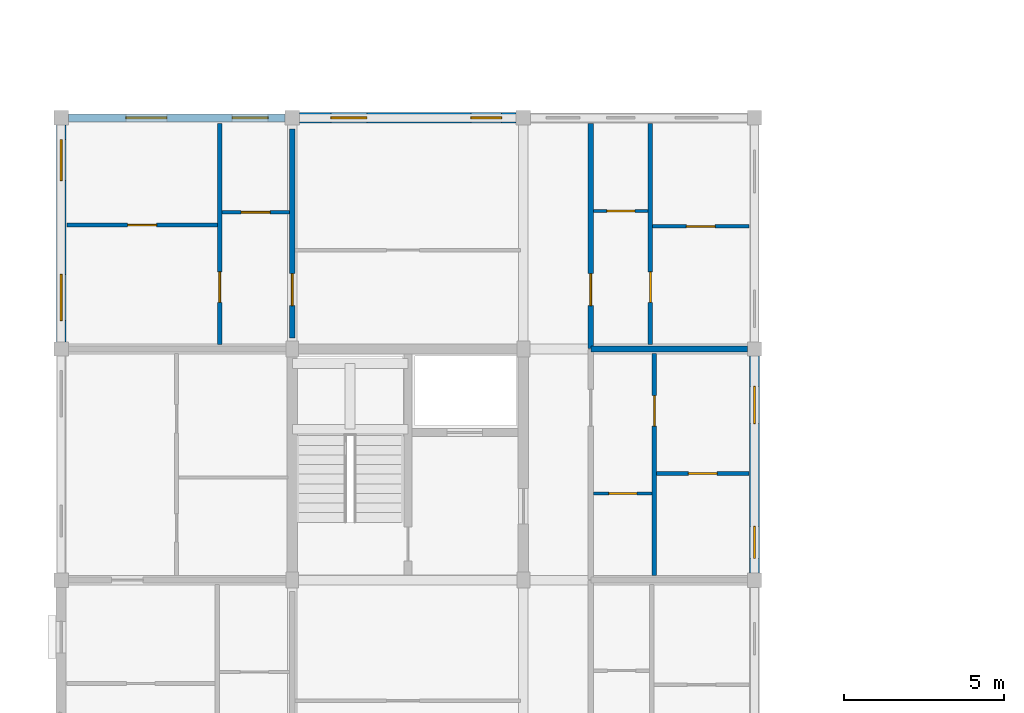
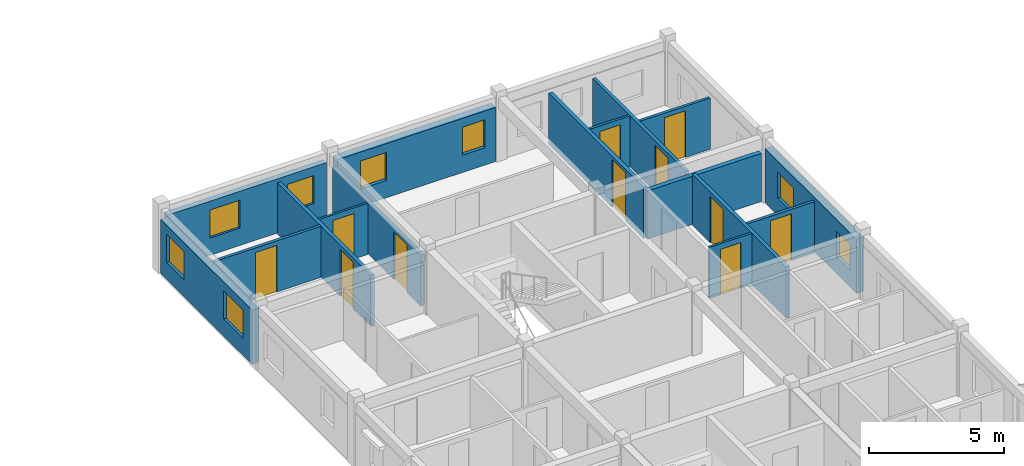
# One storey, part 15 of 23: 16 walls, 11 doors, 8 windows, 19 openings.
"""IFC4 building model written with IfcOpenShell, lengths in metres."""

from ifc_helpers import new_model, si_unit, direction, frame, frame_2d, origin, place, context, subcontext, project, spatial, rectangle, extrude, material, layer, layer_set, type_object, element, fill, save


model = new_model("IFC4")

# Units and contexts
model_context = context("Model", 3, precision=1e-05, world=origin(), true_north=direction((0.0, 1.0)))
body_context = subcontext(model_context, "Body", "Model", "MODEL_VIEW")
ifc_project = project(units=[si_unit("LENGTHUNIT", "METRE"), si_unit("AREAUNIT", "SQUARE_METRE"), si_unit("VOLUMEUNIT", "CUBIC_METRE"), si_unit("PLANEANGLEUNIT", "RADIAN"), si_unit("MASSUNIT", "GRAM", prefix="KILO"), si_unit("THERMODYNAMICTEMPERATUREUNIT", "KELVIN"), si_unit("POWERUNIT", "WATT")], contexts=[model_context])

# Site, building, storey
site_placement = place(None, origin())
site = spatial("IfcSite", under=ifc_project, at=site_placement, CompositionType="ELEMENT")
building_placement = place(site_placement, origin())
building = spatial("IfcBuilding", under=site, at=building_placement, Name="Tavuni Mirador Residences", CompositionType="ELEMENT")
storey_placement = place(building_placement, frame((0.0, 0.0, 42.300048828125)))
storey = spatial("IfcBuildingStorey", under=building, at=storey_placement, Name="L13", CompositionType="ELEMENT", Elevation=42.300048828125)

# Wall, opening, door
ifc_material_1 = material(Name="Precast concrete C40/50", Category="concrete")
ifc_layer_1 = layer(ifc_material_1, 0.1650390625, Name="Precast concrete C40/50", Category="concrete")
ifc_layer_set_1 = layer_set([ifc_layer_1], Name="Precast concrete C40/50")
wall_type_1 = type_object("IfcWallType", Name="WT-CORR165", PredefinedType="PARTITIONING", material=ifc_layer_set_1)
wall_1_placement = place(storey_placement, frame((20.10009765625, 36.02001953125, 0.0), z_axis=(0.0, 0.0, 1.0), x_axis=(0.0, 1.0, 0.0)))
wall_1 = element("IfcWall", 1, at=wall_1_placement, inside=storey, type_object=wall_type_1, Name="CORW-BLK-A-L13-0-04", PredefinedType="PARTITIONING", context=body_context, shape_type="SweptSolid", body=[
    extrude(rectangle(XDim=7.0048828125, YDim=0.1650390625, at=frame_2d((3.50244140625, 0.0))), origin(), (0.0, 0.0, 1.0), 2.304931640625),
])
opening_1_placement = place(wall_1_placement, frame((1.330078125, 0.0, 0.0)))
opening_1 = element("IfcOpeningElement", 2, at=opening_1_placement, cuts=wall_1, Name="Opening D-03", PredefinedType="OPENING", context=body_context, shape_type="SweptSolid", body=[
    extrude(rectangle(XDim=1.0, YDim=2.14990234375, at=frame_2d((0.5, 1.074951171875))), frame((0.0, 0.092529296875, 0.0), z_axis=(0.0, -1.0, 0.0), x_axis=(1.0, 0.0, 0.0)), (0.0, 0.0, 1.0), 0.18505859375),
])
ifc_material_2 = material(Name="Solid core iroko timber", Category="wood")
door_type_1 = type_object("IfcDoorType", Name="DT-FD60-1000", OperationType="NOTDEFINED", PredefinedType="DOOR", material=ifc_material_2)
door_1_placement = place(opening_1_placement, origin())
door_1 = element("IfcDoor", 3, at=door_1_placement, inside=storey, type_object=door_type_1, Name="DR-2505", OperationType="SINGLE_SWING_RIGHT", OverallHeight=2.14990234375, OverallWidth=1.0, PredefinedType="DOOR", context=body_context, shape_type="SweptSolid", body=[
    extrude(rectangle(XDim=1.0, YDim=2.14990234375, at=frame_2d((0.5, 1.074951171875))), frame((0.0, 0.02490234375, 0.0), z_axis=(0.0, -1.0, 0.0), x_axis=(1.0, 0.0, 0.0)), (0.0, 0.0, 1.0), 0.050048828125),
])
fill(opening_1, door_1)

wall_2_placement = place(storey_placement, frame((10.800048828125, 36.35009765625, 0.0), z_axis=(0.0, 0.0, 1.0), x_axis=(0.0, 1.0, 0.0)))
wall_2 = element("IfcWall", 4, at=wall_2_placement, inside=storey, type_object=wall_type_1, Name="CORW-BLK-A-L13-1-04", PredefinedType="PARTITIONING", context=body_context, shape_type="SweptSolid", body=[
    extrude(rectangle(XDim=6.5, YDim=0.1650390625, at=frame_2d((3.25, 0.0))), origin(), (0.0, 0.0, 1.0), 2.304931640625),
])
opening_2_placement = place(wall_2_placement, frame((1.0, 0.0, 0.0)))
opening_2 = element("IfcOpeningElement", 5, at=opening_2_placement, cuts=wall_2, Name="Opening D-03", PredefinedType="OPENING", context=body_context, shape_type="SweptSolid", body=[
    extrude(rectangle(XDim=1.0, YDim=2.14990234375, at=frame_2d((0.5, 1.074951171875))), frame((0.0, 0.092529296875, 0.0), z_axis=(0.0, -1.0, 0.0), x_axis=(1.0, 0.0, 0.0)), (0.0, 0.0, 1.0), 0.18505859375),
])
door_2_placement = place(opening_2_placement, origin())
door_2 = element("IfcDoor", 6, at=door_2_placement, inside=storey, type_object=door_type_1, Name="DR-2508", OperationType="SINGLE_SWING_LEFT", OverallHeight=2.14990234375, OverallWidth=1.0, PredefinedType="DOOR", context=body_context, shape_type="SweptSolid", body=[
    extrude(rectangle(XDim=1.0, YDim=2.14990234375, at=frame_2d((0.5, 1.074951171875))), frame((0.0, 0.02490234375, 0.0), z_axis=(0.0, -1.0, 0.0), x_axis=(1.0, 0.0, 0.0)), (0.0, 0.0, 1.0), 0.050048828125),
])
fill(opening_2, door_2)

# Wall, openings, windows
ifc_layer_2 = layer(ifc_material_1, 0.330078125, Name="Precast concrete C40/50", Category="concrete")
ifc_layer_set_2 = layer_set([ifc_layer_2], Name="Precast concrete C40/50")
wall_type_2 = type_object("IfcWallType", Name="WT-EXT-COR330", PredefinedType="SOLIDWALL", material=ifc_layer_set_2)
wall_3_placement = place(storey_placement, frame((17.77490234375, 43.199951171875, 0.0), z_axis=(0.0, 0.0, 1.0), x_axis=(-1.0, 0.0, 0.0)))
wall_3 = element("IfcWall", 7, at=wall_3_placement, inside=storey, type_object=wall_type_2, Name="EW-BLK-A-L13-N01", PredefinedType="SOLIDWALL", context=body_context, shape_type="SweptSolid", body=[
    extrude(rectangle(XDim=6.75, YDim=0.330078125, at=frame_2d((3.375, 0.0))), origin(), (0.0, 0.0, 1.0), 2.43994140625),
])
opening_3_placement = place(wall_3_placement, frame((0.449951171875, 0.0, 0.780029296875)))
opening_3 = element("IfcOpeningElement", 8, at=opening_3_placement, cuts=wall_3, Name="Opening WN-10", PredefinedType="OPENING", context=body_context, shape_type="SweptSolid", body=[
    extrude(rectangle(XDim=0.9599609375, YDim=1.260009765625, at=frame_2d((0.47998046875, 0.6298828125))), frame((0.0, 0.175048828125, 0.0), z_axis=(0.0, -1.0, 0.0), x_axis=(1.0, 0.0, 0.0)), (0.0, 0.0, 1.0), 0.35009765625),
])
opening_4_placement = place(wall_3_placement, frame((4.64990234375, 0.0, 0.780029296875)))
opening_4 = element("IfcOpeningElement", 9, at=opening_4_placement, cuts=wall_3, Name="Opening WN-12", PredefinedType="OPENING", context=body_context, shape_type="SweptSolid", body=[
    extrude(rectangle(XDim=1.1201171875, YDim=1.260009765625, at=frame_2d((0.56005859375, 0.6298828125))), frame((0.0, 0.175048828125, 0.0), z_axis=(0.0, -1.0, 0.0), x_axis=(1.0, 0.0, 0.0)), (0.0, 0.0, 1.0), 0.35009765625),
])
ifc_material_3 = material(Name="Laminated solar-control glass", Category="glass")
window_type_1 = type_object("IfcWindowType", Name="WNT-10", PartitioningType="SINGLE_PANEL", PredefinedType="WINDOW", material=ifc_material_3)
window_1_placement = place(opening_3_placement, origin())
window_1 = element("IfcWindow", 10, at=window_1_placement, inside=storey, type_object=window_type_1, Name="WIN-0476", OverallHeight=1.260009765625, OverallWidth=0.9599609375, PartitioningType="SINGLE_PANEL", PredefinedType="WINDOW", context=body_context, shape_type="SweptSolid", body=[
    extrude(rectangle(XDim=0.9599609375, YDim=1.260009765625, at=frame_2d((0.47998046875, 0.6298828125))), frame((0.0, 0.030029296875, 0.0), z_axis=(0.0, -1.0, 0.0), x_axis=(1.0, 0.0, 0.0)), (0.0, 0.0, 1.0), 0.06005859375),
])
fill(opening_3, window_1)
window_type_2 = type_object("IfcWindowType", Name="WNT-12", PartitioningType="SINGLE_PANEL", PredefinedType="WINDOW", material=ifc_material_3)
window_2_placement = place(opening_4_placement, origin())
window_2 = element("IfcWindow", 11, at=window_2_placement, inside=storey, type_object=window_type_2, Name="WIN-0477", OverallHeight=1.260009765625, OverallWidth=1.1201171875, PartitioningType="SINGLE_PANEL", PredefinedType="WINDOW", context=body_context, shape_type="SweptSolid", body=[
    extrude(rectangle(XDim=1.1201171875, YDim=1.260009765625, at=frame_2d((0.56005859375, 0.6298828125))), frame((0.0, 0.030029296875, 0.0), z_axis=(0.0, -1.0, 0.0), x_axis=(1.0, 0.0, 0.0)), (0.0, 0.0, 1.0), 0.06005859375),
])
fill(opening_4, window_2)

ifc_material_4 = material(Name="Sgraffito lime-rendered precast concrete C40/50", Category="concrete")
ifc_layer_3 = layer(ifc_material_4, 0.2451171875, Name="Sgraffito lime-rendered precast concrete C40/50", Category="concrete")
ifc_layer_set_3 = layer_set([ifc_layer_3], Name="Sgraffito lime-rendered precast concrete C40/50")
wall_type_3 = type_object("IfcWallType", Name="WT-EXT-PC245", PredefinedType="SOLIDWALL", material=ifc_layer_set_3)
wall_4_placement = place(storey_placement, frame((10.574951171875, 43.199951171875, 0.0), z_axis=(0.0, 0.0, 1.0), x_axis=(-1.0, 0.0, 0.0)))
wall_4 = element("IfcWall", 12, at=wall_4_placement, inside=storey, type_object=wall_type_3, Name="EW-BLK-A-L13-N00", PredefinedType="SOLIDWALL", context=body_context, shape_type="SweptSolid", body=[
    extrude(rectangle(XDim=6.75, YDim=0.2451171875, at=frame_2d((3.375, 0.0))), origin(), (0.0, 0.0, 1.0), 2.43994140625),
])
opening_5_placement = place(wall_4_placement, frame((0.527587890625, 0.0, 0.780029296875)))
opening_5 = element("IfcOpeningElement", 13, at=opening_5_placement, cuts=wall_4, Name="Opening WN-12", PredefinedType="OPENING", context=body_context, shape_type="SweptSolid", body=[
    extrude(rectangle(XDim=1.1201171875, YDim=1.260009765625, at=frame_2d((0.56005859375, 0.6298828125))), frame((0.0, 0.132568359375, 0.0), z_axis=(0.0, -1.0, 0.0), x_axis=(1.0, 0.0, 0.0)), (0.0, 0.0, 1.0), 0.26513671875),
])
opening_6_placement = place(wall_4_placement, frame((3.6826171875, 0.0, 0.780029296875)))
opening_6 = element("IfcOpeningElement", 14, at=opening_6_placement, cuts=wall_4, Name="Opening WN-14", PredefinedType="OPENING", context=body_context, shape_type="SweptSolid", body=[
    extrude(rectangle(XDim=1.280029296875, YDim=1.260009765625, at=frame_2d((0.64013671875, 0.6298828125))), frame((0.0, 0.132568359375, 0.0), z_axis=(0.0, -1.0, 0.0), x_axis=(1.0, 0.0, 0.0)), (0.0, 0.0, 1.0), 0.26513671875),
])
window_3_placement = place(opening_5_placement, origin())
window_3 = element("IfcWindow", 15, at=window_3_placement, inside=storey, type_object=window_type_2, Name="WIN-0478", OverallHeight=1.260009765625, OverallWidth=1.1201171875, PartitioningType="SINGLE_PANEL", PredefinedType="WINDOW", context=body_context, shape_type="SweptSolid", body=[
    extrude(rectangle(XDim=1.1201171875, YDim=1.260009765625, at=frame_2d((0.56005859375, 0.6298828125))), frame((0.0, 0.030029296875, 0.0), z_axis=(0.0, -1.0, 0.0), x_axis=(1.0, 0.0, 0.0)), (0.0, 0.0, 1.0), 0.06005859375),
])
fill(opening_5, window_3)
window_type_3 = type_object("IfcWindowType", Name="WNT-14", PartitioningType="SINGLE_PANEL", PredefinedType="WINDOW", material=ifc_material_3)
window_4_placement = place(opening_6_placement, origin())
window_4 = element("IfcWindow", 16, at=window_4_placement, inside=storey, type_object=window_type_3, Name="WIN-0479", OverallHeight=1.260009765625, OverallWidth=1.280029296875, PartitioningType="SINGLE_PANEL", PredefinedType="WINDOW", context=body_context, shape_type="SweptSolid", body=[
    extrude(rectangle(XDim=1.280029296875, YDim=1.260009765625, at=frame_2d((0.64013671875, 0.6298828125))), frame((0.0, 0.030029296875, 0.0), z_axis=(0.0, -1.0, 0.0), x_axis=(1.0, 0.0, 0.0)), (0.0, 0.0, 1.0), 0.06005859375),
])
fill(opening_6, window_4)

ifc_layer_4 = layer(ifc_material_4, 0.2900390625, Name="Sgraffito lime-rendered precast concrete C40/50", Category="concrete")
ifc_layer_set_4 = layer_set([ifc_layer_4], Name="Sgraffito lime-rendered precast concrete C40/50")
wall_type_4 = type_object("IfcWallType", Name="WT-EXT-PC290", PredefinedType="SOLIDWALL", material=ifc_layer_set_4)
wall_5_placement = place(storey_placement, frame((3.60009765625, 42.97509765625, 0.0), z_axis=(0.0, 0.0, 1.0), x_axis=(0.0, -1.0, 0.0)))
wall_5 = element("IfcWall", 17, at=wall_5_placement, inside=storey, type_object=wall_type_4, Name="EW-BLK-A-L13-W04", PredefinedType="SOLIDWALL", context=body_context, shape_type="SweptSolid", body=[
    extrude(rectangle(XDim=6.75, YDim=0.2900390625, at=frame_2d((3.375, 0.0))), origin(), (0.0, 0.0, 1.0), 2.43994140625),
])
opening_7_placement = place(wall_5_placement, frame((0.449951171875, 0.0, 0.780029296875)))
opening_7 = element("IfcOpeningElement", 18, at=opening_7_placement, cuts=wall_5, Name="Opening WN-14", PredefinedType="OPENING", context=body_context, shape_type="SweptSolid", body=[
    extrude(rectangle(XDim=1.280029296875, YDim=1.260009765625, at=frame_2d((0.64013671875, 0.6298828125))), frame((0.0, 0.155029296875, 0.0), z_axis=(0.0, -1.0, 0.0), x_axis=(1.0, 0.0, 0.0)), (0.0, 0.0, 1.0), 0.31005859375),
])
opening_8_placement = place(wall_5_placement, frame((4.64990234375, 0.0, 0.780029296875)))
opening_8 = element("IfcOpeningElement", 19, at=opening_8_placement, cuts=wall_5, Name="Opening WN-16", PredefinedType="OPENING", context=body_context, shape_type="SweptSolid", body=[
    extrude(rectangle(XDim=1.43994140625, YDim=1.260009765625, at=frame_2d((0.719970703125, 0.6298828125))), frame((0.0, 0.155029296875, 0.0), z_axis=(0.0, -1.0, 0.0), x_axis=(1.0, 0.0, 0.0)), (0.0, 0.0, 1.0), 0.31005859375),
])
window_5_placement = place(opening_7_placement, origin())
window_5 = element("IfcWindow", 20, at=window_5_placement, inside=storey, type_object=window_type_3, Name="WIN-0480", OverallHeight=1.260009765625, OverallWidth=1.280029296875, PartitioningType="SINGLE_PANEL", PredefinedType="WINDOW", context=body_context, shape_type="SweptSolid", body=[
    extrude(rectangle(XDim=1.280029296875, YDim=1.260009765625, at=frame_2d((0.64013671875, 0.6298828125))), frame((0.0, 0.030029296875, 0.0), z_axis=(0.0, -1.0, 0.0), x_axis=(1.0, 0.0, 0.0)), (0.0, 0.0, 1.0), 0.06005859375),
])
fill(opening_7, window_5)
window_type_4 = type_object("IfcWindowType", Name="WNT-16", PartitioningType="SINGLE_PANEL", PredefinedType="WINDOW", material=ifc_material_3)
window_6_placement = place(opening_8_placement, origin())
window_6 = element("IfcWindow", 21, at=window_6_placement, inside=storey, type_object=window_type_4, Name="WIN-0481", OverallHeight=1.260009765625, OverallWidth=1.43994140625, PartitioningType="SINGLE_PANEL", PredefinedType="WINDOW", context=body_context, shape_type="SweptSolid", body=[
    extrude(rectangle(XDim=1.43994140625, YDim=1.260009765625, at=frame_2d((0.719970703125, 0.6298828125))), frame((0.0, 0.030029296875, 0.0), z_axis=(0.0, -1.0, 0.0), x_axis=(1.0, 0.0, 0.0)), (0.0, 0.0, 1.0), 0.06005859375),
])
fill(opening_8, window_6)

ifc_layer_5 = layer(ifc_material_4, 0.304931640625, Name="Sgraffito lime-rendered precast concrete C40/50", Category="concrete")
ifc_layer_set_5 = layer_set([ifc_layer_5], Name="Sgraffito lime-rendered precast concrete C40/50")
wall_type_5 = type_object("IfcWallType", Name="WT-EXT-PC305", PredefinedType="SOLIDWALL", material=ifc_layer_set_5)
wall_6_placement = place(storey_placement, frame((25.199951171875, 29.02490234375, 0.0), z_axis=(0.0, 0.0, 1.0), x_axis=(0.0, 1.0, 0.0)))
wall_6 = element("IfcWall", 22, at=wall_6_placement, inside=storey, type_object=wall_type_5, Name="EW-BLK-A-L13-E03", PredefinedType="SOLIDWALL", context=body_context, shape_type="SweptSolid", body=[
    extrude(rectangle(XDim=6.75, YDim=0.304931640625, at=frame_2d((3.375, 0.0))), origin(), (0.0, 0.0, 1.0), 2.43994140625),
])
opening_9_placement = place(wall_6_placement, frame((0.449951171875, 0.0, 0.780029296875)))
opening_9 = element("IfcOpeningElement", 23, at=opening_9_placement, cuts=wall_6, Name="Opening WN-03", PredefinedType="OPENING", context=body_context, shape_type="SweptSolid", body=[
    extrude(rectangle(XDim=1.0, YDim=1.14990234375, at=frame_2d((0.5, 0.574951171875))), frame((0.0, 0.16259765625, 0.0), z_axis=(0.0, -1.0, 0.0), x_axis=(1.0, 0.0, 0.0)), (0.0, 0.0, 1.0), 0.324951171875),
])
opening_10_placement = place(wall_6_placement, frame((4.64990234375, 0.0, 0.780029296875)))
opening_10 = element("IfcOpeningElement", 24, at=opening_10_placement, cuts=wall_6, Name="Opening WN-05", PredefinedType="OPENING", context=body_context, shape_type="SweptSolid", body=[
    extrude(rectangle(XDim=1.159912109375, YDim=1.14990234375, at=frame_2d((0.580078125, 0.574951171875))), frame((0.0, 0.16259765625, 0.0), z_axis=(0.0, -1.0, 0.0), x_axis=(1.0, 0.0, 0.0)), (0.0, 0.0, 1.0), 0.324951171875),
])
window_type_5 = type_object("IfcWindowType", Name="WNT-03", PartitioningType="SINGLE_PANEL", PredefinedType="WINDOW", material=ifc_material_3)
window_7_placement = place(opening_9_placement, origin())
window_7 = element("IfcWindow", 25, at=window_7_placement, inside=storey, type_object=window_type_5, Name="WIN-0469", OverallHeight=1.14990234375, OverallWidth=1.0, PartitioningType="SINGLE_PANEL", PredefinedType="WINDOW", context=body_context, shape_type="SweptSolid", body=[
    extrude(rectangle(XDim=1.0, YDim=1.14990234375, at=frame_2d((0.5, 0.574951171875))), frame((0.0, 0.030029296875, 0.0), z_axis=(0.0, -1.0, 0.0), x_axis=(1.0, 0.0, 0.0)), (0.0, 0.0, 1.0), 0.06005859375),
])
fill(opening_9, window_7)
window_type_6 = type_object("IfcWindowType", Name="WNT-05", PartitioningType="SINGLE_PANEL", PredefinedType="WINDOW", material=ifc_material_3)
window_8_placement = place(opening_10_placement, origin())
window_8 = element("IfcWindow", 26, at=window_8_placement, inside=storey, type_object=window_type_6, Name="WIN-0470", OverallHeight=1.14990234375, OverallWidth=1.159912109375, PartitioningType="SINGLE_PANEL", PredefinedType="WINDOW", context=body_context, shape_type="SweptSolid", body=[
    extrude(rectangle(XDim=1.159912109375, YDim=1.14990234375, at=frame_2d((0.580078125, 0.574951171875))), frame((0.0, 0.030029296875, 0.0), z_axis=(0.0, -1.0, 0.0), x_axis=(1.0, 0.0, 0.0)), (0.0, 0.0, 1.0), 0.06005859375),
])
fill(opening_10, window_8)

# Wall, opening, door
ifc_material_5 = material(Name="Acoustic gypsum and concrete block partition", Category="concrete")
ifc_layer_6 = layer(ifc_material_5, 0.094970703125, Name="Acoustic gypsum and concrete block partition", Category="concrete")
ifc_layer_set_6 = layer_set([ifc_layer_6], Name="Acoustic gypsum and concrete block partition")
wall_type_6 = type_object("IfcWallType", Name="WT-PART095", PredefinedType="PARTITIONING", material=ifc_layer_set_6)
wall_7_placement = place(storey_placement, frame((20.18994140625, 31.5, 0.0), z_axis=(0.0, 0.0, 1.0), x_axis=(1.0, 0.0, 0.0)))
wall_7 = element("IfcWall", 27, at=wall_7_placement, inside=storey, type_object=wall_type_6, Name="PW-BLK-A-L13-E03-IN1", PredefinedType="PARTITIONING", context=body_context, shape_type="SweptSolid", body=[
    extrude(rectangle(XDim=1.820068359375, YDim=0.094970703125, at=frame_2d((0.91015625, 0.0))), origin(), (0.0, 0.0, 1.0), 2.304931640625),
])
opening_11_placement = place(wall_7_placement, frame((0.47509765625, 0.0, 0.0)))
opening_11 = element("IfcOpeningElement", 28, at=opening_11_placement, cuts=wall_7, Name="Opening D-10", PredefinedType="OPENING", context=body_context, shape_type="SweptSolid", body=[
    extrude(rectangle(XDim=0.8701171875, YDim=2.050048828125, at=frame_2d((0.43505859375, 1.02490234375))), frame((0.0, 0.0576171875, 0.0), z_axis=(0.0, -1.0, 0.0), x_axis=(1.0, 0.0, 0.0)), (0.0, 0.0, 1.0), 0.114990234375),
])
door_type_2 = type_object("IfcDoorType", Name="DT-WC870", OperationType="NOTDEFINED", PredefinedType="DOOR", material=ifc_material_2)
door_3_placement = place(opening_11_placement, origin())
door_3 = element("IfcDoor", 29, at=door_3_placement, inside=storey, type_object=door_type_2, Name="DR-3369", OperationType="SINGLE_SWING_RIGHT", OverallHeight=2.050048828125, OverallWidth=0.8701171875, PredefinedType="DOOR", context=body_context, shape_type="SweptSolid", body=[
    extrude(rectangle(XDim=0.8701171875, YDim=2.050048828125, at=frame_2d((0.43505859375, 1.02490234375))), frame((0.0, 0.02490234375, 0.0), z_axis=(0.0, -1.0, 0.0), x_axis=(1.0, 0.0, 0.0)), (0.0, 0.0, 1.0), 0.050048828125),
])
fill(opening_11, door_3)

wall_8_placement = place(storey_placement, frame((8.610107421875, 40.260009765625, 0.0), z_axis=(0.0, 0.0, 1.0), x_axis=(1.0, 0.0, 0.0)))
wall_8 = element("IfcWall", 30, at=wall_8_placement, inside=storey, type_object=wall_type_6, Name="PW-BLK-A-L13-W04-IN1", PredefinedType="PARTITIONING", context=body_context, shape_type="SweptSolid", body=[
    extrude(rectangle(XDim=2.099853515625, YDim=0.094970703125, at=frame_2d((1.0498046875, 0.0))), origin(), (0.0, 0.0, 1.0), 2.304931640625),
])
opening_12_placement = place(wall_8_placement, frame((0.60009765625, 0.0, 0.0)))
opening_12 = element("IfcOpeningElement", 31, at=opening_12_placement, cuts=wall_8, Name="Opening D-09", PredefinedType="OPENING", context=body_context, shape_type="SweptSolid", body=[
    extrude(rectangle(XDim=0.89990234375, YDim=2.050048828125, at=frame_2d((0.449951171875, 1.02490234375))), frame((0.0, 0.0576171875, 0.0), z_axis=(0.0, -1.0, 0.0), x_axis=(1.0, 0.0, 0.0)), (0.0, 0.0, 1.0), 0.114990234375),
])
door_type_3 = type_object("IfcDoorType", Name="DT-WC900", OperationType="NOTDEFINED", PredefinedType="DOOR", material=ifc_material_2)
door_4_placement = place(opening_12_placement, origin())
door_4 = element("IfcDoor", 32, at=door_4_placement, inside=storey, type_object=door_type_3, Name="DR-3373", OperationType="SINGLE_SWING_RIGHT", OverallHeight=2.050048828125, OverallWidth=0.89990234375, PredefinedType="DOOR", context=body_context, shape_type="SweptSolid", body=[
    extrude(rectangle(XDim=0.89990234375, YDim=2.050048828125, at=frame_2d((0.449951171875, 1.02490234375))), frame((0.0, 0.02490234375, 0.0), z_axis=(0.0, -1.0, 0.0), x_axis=(1.0, 0.0, 0.0)), (0.0, 0.0, 1.0), 0.050048828125),
])
fill(opening_12, door_4)

ifc_layer_7 = layer(ifc_material_5, 0.10498046875, Name="Acoustic gypsum and concrete block partition", Category="concrete")
ifc_layer_set_7 = layer_set([ifc_layer_7], Name="Acoustic gypsum and concrete block partition")
wall_type_7 = type_object("IfcWallType", Name="WT-PART105", PredefinedType="PARTITIONING", material=ifc_layer_set_7)
wall_9_placement = place(storey_placement, frame((20.18994140625, 40.300048828125, 0.0), z_axis=(0.0, 0.0, 1.0), x_axis=(1.0, 0.0, 0.0)))
wall_9 = element("IfcWall", 33, at=wall_9_placement, inside=storey, type_object=wall_type_7, Name="PW-BLK-A-L13-E04-IN1", PredefinedType="PARTITIONING", context=body_context, shape_type="SweptSolid", body=[
    extrude(rectangle(XDim=1.699951171875, YDim=0.10498046875, at=frame_2d((0.85009765625, 0.0))), origin(), (0.0, 0.0, 1.0), 2.304931640625),
])
opening_13_placement = place(wall_9_placement, frame((0.4150390625, 0.0, 0.0)))
opening_13 = element("IfcOpeningElement", 34, at=opening_13_placement, cuts=wall_9, Name="Opening D-10", PredefinedType="OPENING", context=body_context, shape_type="SweptSolid", body=[
    extrude(rectangle(XDim=0.8701171875, YDim=2.050048828125, at=frame_2d((0.43505859375, 1.02490234375))), frame((0.0, 0.0625, 0.0), z_axis=(0.0, -1.0, 0.0), x_axis=(1.0, 0.0, 0.0)), (0.0, 0.0, 1.0), 0.125),
])
door_5_placement = place(opening_13_placement, origin())
door_5 = element("IfcDoor", 35, at=door_5_placement, inside=storey, type_object=door_type_2, Name="DR-3376", OperationType="SINGLE_SWING_RIGHT", OverallHeight=2.050048828125, OverallWidth=0.8701171875, PredefinedType="DOOR", context=body_context, shape_type="SweptSolid", body=[
    extrude(rectangle(XDim=0.8701171875, YDim=2.050048828125, at=frame_2d((0.43505859375, 1.02490234375))), frame((0.0, 0.02490234375, 0.0), z_axis=(0.0, -1.0, 0.0), x_axis=(1.0, 0.0, 0.0)), (0.0, 0.0, 1.0), 0.050048828125),
])
fill(opening_13, door_5)

ifc_layer_8 = layer(ifc_material_5, 0.114990234375, Name="Acoustic gypsum and concrete block partition", Category="concrete")
ifc_layer_set_8 = layer_set([ifc_layer_8], Name="Acoustic gypsum and concrete block partition")
wall_type_8 = type_object("IfcWallType", Name="WT-PART115", PredefinedType="PARTITIONING", material=ifc_layer_set_8)
wall_10_placement = place(storey_placement, frame((22.030029296875, 39.820068359375, 0.0), z_axis=(0.0, 0.0, 1.0), x_axis=(1.0, 0.0, 0.0)))
wall_10 = element("IfcWall", 36, at=wall_10_placement, inside=storey, type_object=wall_type_8, Name="PW-BLK-A-L13-E04-OUT", PredefinedType="PARTITIONING", context=body_context, shape_type="SweptSolid", body=[
    extrude(rectangle(XDim=2.994873046875, YDim=0.114990234375, at=frame_2d((1.49755859375, 0.0))), origin(), (0.0, 0.0, 1.0), 2.304931640625),
])
opening_14_placement = place(wall_10_placement, frame((1.047607421875, 0.0, 0.0)))
opening_14 = element("IfcOpeningElement", 37, at=opening_14_placement, cuts=wall_10, Name="Opening D-07", PredefinedType="OPENING", context=body_context, shape_type="SweptSolid", body=[
    extrude(rectangle(XDim=0.89990234375, YDim=2.10009765625, at=frame_2d((0.449951171875, 1.050048828125))), frame((0.0, 0.0673828125, 0.0), z_axis=(0.0, -1.0, 0.0), x_axis=(1.0, 0.0, 0.0)), (0.0, 0.0, 1.0), 0.135009765625),
])
door_type_4 = type_object("IfcDoorType", Name="DT-BED900", OperationType="NOTDEFINED", PredefinedType="DOOR", material=ifc_material_2)
door_6_placement = place(opening_14_placement, origin())
door_6 = element("IfcDoor", 38, at=door_6_placement, inside=storey, type_object=door_type_4, Name="DR-3375", OperationType="SINGLE_SWING_LEFT", OverallHeight=2.10009765625, OverallWidth=0.89990234375, PredefinedType="DOOR", context=body_context, shape_type="SweptSolid", body=[
    extrude(rectangle(XDim=0.89990234375, YDim=2.10009765625, at=frame_2d((0.449951171875, 1.050048828125))), frame((0.0, 0.02490234375, 0.0), z_axis=(0.0, -1.0, 0.0), x_axis=(1.0, 0.0, 0.0)), (0.0, 0.0, 1.0), 0.050048828125),
])
fill(opening_14, door_6)

ifc_layer_9 = layer(ifc_material_5, 0.125, Name="Acoustic gypsum and concrete block partition", Category="concrete")
ifc_layer_set_9 = layer_set([ifc_layer_9], Name="Acoustic gypsum and concrete block partition")
wall_type_9 = type_object("IfcWallType", Name="WT-PART125", PredefinedType="PARTITIONING", material=ifc_layer_set_9)
wall_11_placement = place(storey_placement, frame((22.14990234375, 32.1201171875, 0.0), z_axis=(0.0, 0.0, 1.0), x_axis=(1.0, 0.0, 0.0)))
wall_11 = element("IfcWall", 39, at=wall_11_placement, inside=storey, type_object=wall_type_9, Name="PW-BLK-A-L13-E03-OUT", PredefinedType="PARTITIONING", context=body_context, shape_type="SweptSolid", body=[
    extrude(rectangle(XDim=2.875, YDim=0.125, at=frame_2d((1.4375, 0.0))), origin(), (0.0, 0.0, 1.0), 2.304931640625),
])
opening_15_placement = place(wall_11_placement, frame((0.987548828125, 0.0, 0.0)))
opening_15 = element("IfcOpeningElement", 40, at=opening_15_placement, cuts=wall_11, Name="Opening D-07", PredefinedType="OPENING", context=body_context, shape_type="SweptSolid", body=[
    extrude(rectangle(XDim=0.89990234375, YDim=2.10009765625, at=frame_2d((0.449951171875, 1.050048828125))), frame((0.0, 0.072509765625, 0.0), z_axis=(0.0, -1.0, 0.0), x_axis=(1.0, 0.0, 0.0)), (0.0, 0.0, 1.0), 0.14501953125),
])
door_7_placement = place(opening_15_placement, origin())
door_7 = element("IfcDoor", 41, at=door_7_placement, inside=storey, type_object=door_type_4, Name="DR-3368", OperationType="SINGLE_SWING_LEFT", OverallHeight=2.10009765625, OverallWidth=0.89990234375, PredefinedType="DOOR", context=body_context, shape_type="SweptSolid", body=[
    extrude(rectangle(XDim=0.89990234375, YDim=2.10009765625, at=frame_2d((0.449951171875, 1.050048828125))), frame((0.0, 0.02490234375, 0.0), z_axis=(0.0, -1.0, 0.0), x_axis=(1.0, 0.0, 0.0)), (0.0, 0.0, 1.0), 0.050048828125),
])
fill(opening_15, door_7)

wall_12_placement = place(storey_placement, frame((3.77490234375, 39.860107421875, 0.0), z_axis=(0.0, 0.0, 1.0), x_axis=(1.0, 0.0, 0.0)))
wall_12 = element("IfcWall", 42, at=wall_12_placement, inside=storey, type_object=wall_type_9, Name="PW-BLK-A-L13-W04-OUT", PredefinedType="PARTITIONING", context=body_context, shape_type="SweptSolid", body=[
    extrude(rectangle(XDim=4.695068359375, YDim=0.125, at=frame_2d((2.34765625, 0.0))), origin(), (0.0, 0.0, 1.0), 2.304931640625),
])
opening_16_placement = place(wall_12_placement, frame((1.8974609375, 0.0, 0.0)))
opening_16 = element("IfcOpeningElement", 43, at=opening_16_placement, cuts=wall_12, Name="Opening D-07", PredefinedType="OPENING", context=body_context, shape_type="SweptSolid", body=[
    extrude(rectangle(XDim=0.89990234375, YDim=2.10009765625, at=frame_2d((0.449951171875, 1.050048828125))), frame((0.0, 0.072509765625, 0.0), z_axis=(0.0, -1.0, 0.0), x_axis=(1.0, 0.0, 0.0)), (0.0, 0.0, 1.0), 0.14501953125),
])
door_8_placement = place(opening_16_placement, origin())
door_8 = element("IfcDoor", 44, at=door_8_placement, inside=storey, type_object=door_type_4, Name="DR-3372", OperationType="SINGLE_SWING_LEFT", OverallHeight=2.10009765625, OverallWidth=0.89990234375, PredefinedType="DOOR", context=body_context, shape_type="SweptSolid", body=[
    extrude(rectangle(XDim=0.89990234375, YDim=2.10009765625, at=frame_2d((0.449951171875, 1.050048828125))), frame((0.0, 0.02490234375, 0.0), z_axis=(0.0, -1.0, 0.0), x_axis=(1.0, 0.0, 0.0)), (0.0, 0.0, 1.0), 0.050048828125),
])
fill(opening_16, door_8)

ifc_layer_10 = layer(ifc_material_5, 0.139892578125, Name="Acoustic gypsum and concrete block partition", Category="concrete")
ifc_layer_set_10 = layer_set([ifc_layer_10], Name="Acoustic gypsum and concrete block partition")
wall_type_10 = type_object("IfcWallType", Name="WT-PART140", PredefinedType="PARTITIONING", material=ifc_layer_set_10)
wall_13_placement = place(storey_placement, frame((21.9599609375, 36.139892578125, 0.0), z_axis=(0.0, 0.0, 1.0), x_axis=(0.0, 1.0, 0.0)))
wall_13 = element("IfcWall", 45, at=wall_13_placement, inside=storey, type_object=wall_type_10, Name="PW-BLK-A-L13-E04-MID", PredefinedType="PARTITIONING", context=body_context, shape_type="SweptSolid", body=[
    extrude(rectangle(XDim=6.885009765625, YDim=0.139892578125, at=frame_2d((3.4423828125, 0.0))), origin(), (0.0, 0.0, 1.0), 2.304931640625),
])
opening_17_placement = place(wall_13_placement, frame((1.31005859375, 0.0, 0.0)))
opening_17 = element("IfcOpeningElement", 46, at=opening_17_placement, cuts=wall_13, Name="Opening D-05", PredefinedType="OPENING", context=body_context, shape_type="SweptSolid", body=[
    extrude(rectangle(XDim=0.949951171875, YDim=2.10009765625, at=frame_2d((0.47509765625, 1.050048828125))), frame((0.0, 0.080078125, 0.0), z_axis=(0.0, -1.0, 0.0), x_axis=(1.0, 0.0, 0.0)), (0.0, 0.0, 1.0), 0.159912109375),
])
door_type_5 = type_object("IfcDoorType", Name="DT-INT950", OperationType="NOTDEFINED", PredefinedType="DOOR", material=ifc_material_2)
door_9_placement = place(opening_17_placement, origin())
door_9 = element("IfcDoor", 47, at=door_9_placement, inside=storey, type_object=door_type_5, Name="DR-3377", OperationType="SINGLE_SWING_LEFT", OverallHeight=2.10009765625, OverallWidth=0.949951171875, PredefinedType="DOOR", context=body_context, shape_type="SweptSolid", body=[
    extrude(rectangle(XDim=0.949951171875, YDim=2.10009765625, at=frame_2d((0.47509765625, 1.050048828125))), frame((0.0, 0.02490234375, 0.0), z_axis=(0.0, -1.0, 0.0), x_axis=(1.0, 0.0, 0.0)), (0.0, 0.0, 1.0), 0.050048828125),
])
fill(opening_17, door_9)

ifc_layer_11 = layer(ifc_material_5, 0.14990234375, Name="Acoustic gypsum and concrete block partition", Category="concrete")
ifc_layer_set_11 = layer_set([ifc_layer_11], Name="Acoustic gypsum and concrete block partition")
wall_type_11 = type_object("IfcWallType", Name="WT-PART150", PredefinedType="PARTITIONING", material=ifc_layer_set_11)
wall_14_placement = place(storey_placement, frame((22.080078125, 28.93994140625, 0.0), z_axis=(0.0, 0.0, 1.0), x_axis=(0.0, 1.0, 0.0)))
wall_14 = element("IfcWall", 48, at=wall_14_placement, inside=storey, type_object=wall_type_11, Name="PW-BLK-A-L13-E03-MID", PredefinedType="PARTITIONING", context=body_context, shape_type="SweptSolid", body=[
    extrude(rectangle(XDim=6.920166015625, YDim=0.14990234375, at=frame_2d((3.4599609375, 0.0))), origin(), (0.0, 0.0, 1.0), 2.304931640625),
])
opening_18_placement = place(wall_14_placement, frame((4.659912109375, 0.0, 0.0)))
opening_18 = element("IfcOpeningElement", 49, at=opening_18_placement, cuts=wall_14, Name="Opening D-05", PredefinedType="OPENING", context=body_context, shape_type="SweptSolid", body=[
    extrude(rectangle(XDim=0.949951171875, YDim=2.10009765625, at=frame_2d((0.47509765625, 1.050048828125))), frame((0.0, 0.0849609375, 0.0), z_axis=(0.0, -1.0, 0.0), x_axis=(1.0, 0.0, 0.0)), (0.0, 0.0, 1.0), 0.169921875),
])
door_10_placement = place(opening_18_placement, origin())
door_10 = element("IfcDoor", 50, at=door_10_placement, inside=storey, type_object=door_type_5, Name="DR-3370", OperationType="SINGLE_SWING_LEFT", OverallHeight=2.10009765625, OverallWidth=0.949951171875, PredefinedType="DOOR", context=body_context, shape_type="SweptSolid", body=[
    extrude(rectangle(XDim=0.949951171875, YDim=2.10009765625, at=frame_2d((0.47509765625, 1.050048828125))), frame((0.0, 0.02490234375, 0.0), z_axis=(0.0, -1.0, 0.0), x_axis=(1.0, 0.0, 0.0)), (0.0, 0.0, 1.0), 0.050048828125),
])
fill(opening_18, door_10)

wall_15_placement = place(storey_placement, frame((8.5400390625, 36.139892578125, 0.0), z_axis=(0.0, 0.0, 1.0), x_axis=(0.0, 1.0, 0.0)))
wall_15 = element("IfcWall", 51, at=wall_15_placement, inside=storey, type_object=wall_type_11, Name="PW-BLK-A-L13-W04-MID", PredefinedType="PARTITIONING", context=body_context, shape_type="SweptSolid", body=[
    extrude(rectangle(XDim=6.885009765625, YDim=0.14990234375, at=frame_2d((3.4423828125, 0.0))), origin(), (0.0, 0.0, 1.0), 2.304931640625),
])
opening_19_placement = place(wall_15_placement, frame((1.31005859375, 0.0, 0.0)))
opening_19 = element("IfcOpeningElement", 52, at=opening_19_placement, cuts=wall_15, Name="Opening D-05", PredefinedType="OPENING", context=body_context, shape_type="SweptSolid", body=[
    extrude(rectangle(XDim=0.949951171875, YDim=2.10009765625, at=frame_2d((0.47509765625, 1.050048828125))), frame((0.0, 0.0849609375, 0.0), z_axis=(0.0, -1.0, 0.0), x_axis=(1.0, 0.0, 0.0)), (0.0, 0.0, 1.0), 0.169921875),
])
door_11_placement = place(opening_19_placement, origin())
door_11 = element("IfcDoor", 53, at=door_11_placement, inside=storey, type_object=door_type_5, Name="DR-3374", OperationType="SINGLE_SWING_LEFT", OverallHeight=2.10009765625, OverallWidth=0.949951171875, PredefinedType="DOOR", context=body_context, shape_type="SweptSolid", body=[
    extrude(rectangle(XDim=0.949951171875, YDim=2.10009765625, at=frame_2d((0.47509765625, 1.050048828125))), frame((0.0, 0.02490234375, 0.0), z_axis=(0.0, -1.0, 0.0), x_axis=(1.0, 0.0, 0.0)), (0.0, 0.0, 1.0), 0.050048828125),
])
fill(opening_19, door_11)

# Wall
ifc_layer_12 = layer(ifc_material_1, 0.195068359375, Name="Precast concrete C40/50", Category="concrete")
ifc_layer_set_12 = layer_set([ifc_layer_12], Name="Precast concrete C40/50")
wall_type_12 = type_object("IfcWallType", Name="WT-XW195", PredefinedType="SOLIDWALL", material=ifc_layer_set_12)
wall_16_placement = place(storey_placement, frame((20.10009765625, 36.0, 0.0), z_axis=(0.0, 0.0, 1.0), x_axis=(1.0, 0.0, 0.0)))
element("IfcWall", 54, at=wall_16_placement, inside=storey, type_object=wall_type_12, Name="XW-BLK-A-L13-E-04", PredefinedType="SOLIDWALL", context=body_context, shape_type="SweptSolid", body=[
    extrude(rectangle(XDim=4.875, YDim=0.195068359375, at=frame_2d((2.4375, 0.0))), origin(), (0.0, 0.0, 1.0), 2.169921875),
])

save(model, "model.ifc")
